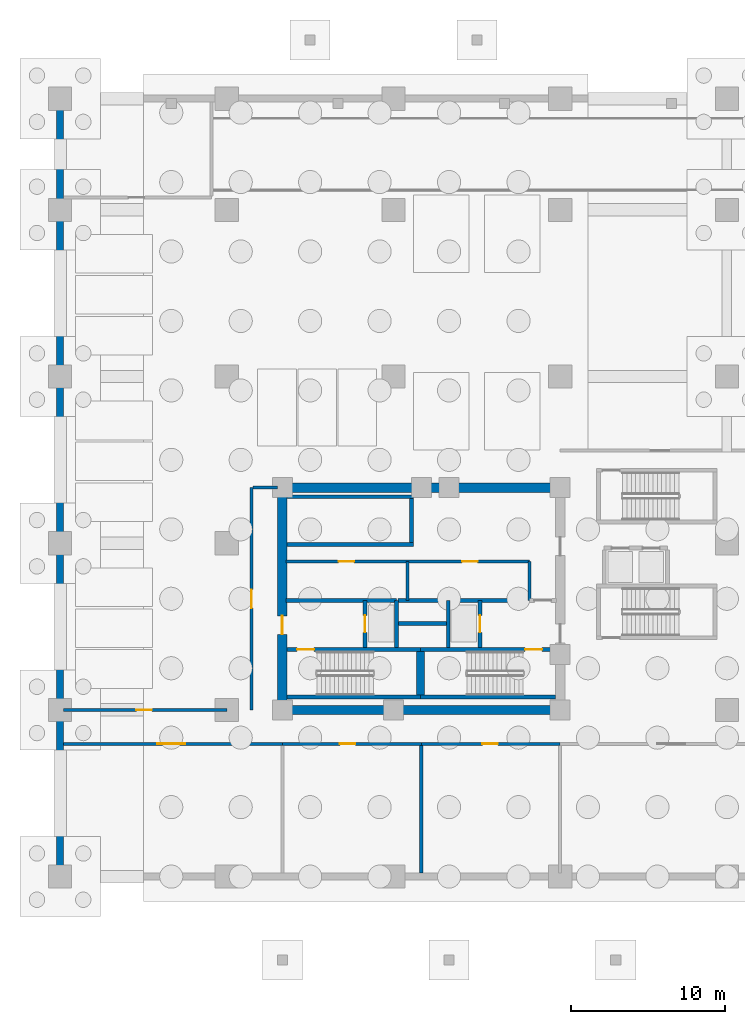
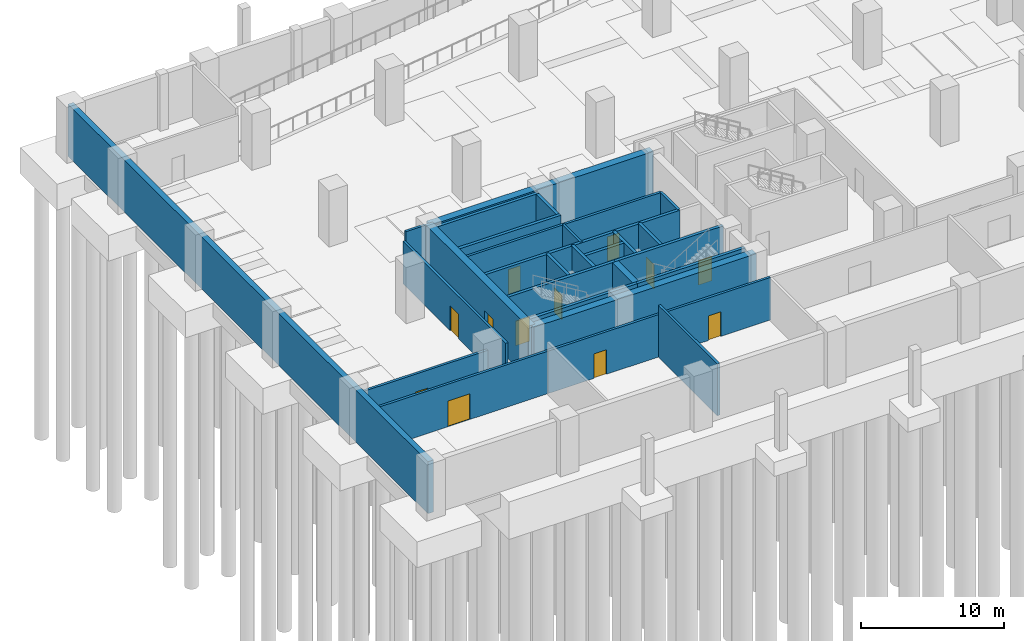
# One storey, part 3 of 9: 29 walls, 12 doors, 12 openings.
"""IFC4 building model written with IfcOpenShell, lengths in metres."""

import ifcopenshell
import ifcopenshell.guid

model = None  # the IFC model being written
_history = None  # IfcOwnerHistory: only IFC2X3 demands one
_inside = {}  # id of a spatial element -> (the spatial element, [elements in it])
_under = {}  # id of a project, library or spatial element -> (it, [spatial elements below it])
_declared = {}  # id of a project -> (the project, [libraries it declares])
_typed = {}  # id of a type object -> (the type object, [elements of that type])
_made_of = {}  # id of a material, layer set ... -> (it, [elements and type objects made of it])


def new_model(schema):
    """Start an empty IFC model of exactly this schema.

    Asked for "IFC4X3", IfcOpenShell would pick the latest addendum, in which some entities
    have other attributes; the version numbers below select the first issue.
    IFC2X3 requires an IfcOwnerHistory on every rooted entity: one is made here for all.
    """
    global model, _history
    if schema == "IFC4X3":
        model = ifcopenshell.file(schema_version=(4, 3, 0, 0))
    else:
        model = ifcopenshell.file(schema=schema)
    _inside.clear()
    _under.clear()
    _declared.clear()
    _typed.clear()
    _made_of.clear()
    _history = None
    if model.schema == "IFC2X3":
        org = make("IfcOrganization", Name="unknown")
        user = make(
            "IfcPersonAndOrganization",
            ThePerson=make("IfcPerson", FamilyName="unknown"),
            TheOrganization=org,
        )
        app = make(
            "IfcApplication",
            ApplicationDeveloper=org,
            Version="unknown",
            ApplicationFullName="unknown",
            ApplicationIdentifier="unknown",
        )
        _history = make(
            "IfcOwnerHistory",
            OwningUser=user,
            OwningApplication=app,
            ChangeAction="ADDED",
            CreationDate=0,
        )
    return model


def make(cls, **values):
    """One entity of the class cls with the attributes given. An attribute that is None is left unset."""
    return model.create_entity(
        cls, **{name: value for name, value in values.items() if value is not None}
    )


def rooted(cls, **values):
    """An entity with a GlobalId (a new one), such as an element, a storey or a relation."""
    return make(cls, GlobalId=ifcopenshell.guid.new(), OwnerHistory=_history, **values)


def si_unit(unit_type, name, prefix=None):
    """IfcSIUnit, for example si_unit("LENGTHUNIT", "METRE", prefix="MILLI")."""
    return make("IfcSIUnit", UnitType=unit_type, Prefix=prefix, Name=name)


def assignment(units):
    """IfcUnitAssignment: the units of a project."""
    return None if units is None else make("IfcUnitAssignment", Units=units)


def point(xyz):
    """IfcCartesianPoint."""
    return None if xyz is None else make("IfcCartesianPoint", Coordinates=xyz)


def direction(xyz):
    """IfcDirection."""
    return None if xyz is None else make("IfcDirection", DirectionRatios=xyz)


def frame(location, z_axis=None, x_axis=None):
    """IfcAxis2Placement3D, a coordinate frame: its origin and axes. An axis left out is left unset."""
    return make(
        "IfcAxis2Placement3D",
        Location=point(location),
        Axis=direction(z_axis),
        RefDirection=direction(x_axis),
    )


def frame_2d(location, x_axis=None):
    """IfcAxis2Placement2D, a coordinate frame in the plane: its origin and x axis."""
    return make(
        "IfcAxis2Placement2D", Location=point(location), RefDirection=direction(x_axis)
    )


def origin():
    """The frame at (0, 0, 0) with its axes left unset."""
    return frame((0.0, 0.0, 0.0))


def place(relative_to, where):
    """IfcLocalPlacement: puts the frame where relative to a parent placement (None: the world)."""
    return make(
        "IfcLocalPlacement", PlacementRelTo=relative_to, RelativePlacement=where
    )


def context(
    kind, dimensions, precision=None, world=None, true_north=None, identifier=None
):
    """IfcGeometricRepresentationContext, for example the 3D "Model" context."""
    return make(
        "IfcGeometricRepresentationContext",
        ContextIdentifier=identifier,
        ContextType=kind,
        CoordinateSpaceDimension=dimensions,
        Precision=precision,
        WorldCoordinateSystem=world,
        TrueNorth=true_north,
    )


def subcontext(parent, identifier, kind, view, scale=None):
    """IfcGeometricRepresentationSubContext, for example "Body" below "Model"."""
    return make(
        "IfcGeometricRepresentationSubContext",
        ContextIdentifier=identifier,
        ContextType=kind,
        ParentContext=parent,
        TargetScale=scale,
        TargetView=view,
    )


def project(units=None, contexts=None):
    """IfcProject with its units and contexts."""
    return rooted(
        "IfcProject",
        Name="project",
        RepresentationContexts=contexts,
        UnitsInContext=assignment(units),
    )


def spatial(cls, under=None, at=None, **own):
    """A site, building, storey or space (cls), placed at a placement, below another one or the project."""
    s = rooted(cls, ObjectPlacement=at, **own)
    if under is not None:
        _under.setdefault(under.id(), (under, []))[1].append(s)
    return s


def profile(cls, at=None, kind="AREA", **sizes):
    """A parametric profile (cls). Its sizes go by their IFC names, for example OverallWidth=200.0."""
    return make(cls, ProfileType=kind, Position=at, **sizes)


def rectangle(**sizes):
    """IfcRectangleProfileDef."""
    return profile("IfcRectangleProfileDef", **sizes)


def extrude(swept, where, along, depth):
    """IfcExtrudedAreaSolid: the profile swept, set in the frame where, extruded along a direction by depth."""
    return make(
        "IfcExtrudedAreaSolid",
        SweptArea=swept,
        Position=where,
        ExtrudedDirection=direction(along),
        Depth=depth,
    )


def shape(context_of_items, identifier, shape_type, items):
    """IfcShapeRepresentation: the items that make up one representation, for example the "Body"."""
    return make(
        "IfcShapeRepresentation",
        ContextOfItems=context_of_items,
        RepresentationIdentifier=identifier,
        RepresentationType=shape_type,
        Items=items,
    )


def material(Name=None, Category=None):
    """IfcMaterial."""
    return make("IfcMaterial", Name=Name, Category=Category)


def layer(
    of_material, thickness, ventilated=None, Name=None, Category=None, Priority=None
):
    """IfcMaterialLayer: one layer of a wall or slab, of a material (None: an air gap)."""
    return make(
        "IfcMaterialLayer",
        Material=of_material,
        LayerThickness=thickness,
        IsVentilated=ventilated,
        Name=Name,
        Category=Category,
        Priority=Priority,
    )


def layer_set(layers, Name=None):
    """IfcMaterialLayerSet."""
    return make("IfcMaterialLayerSet", MaterialLayers=layers, LayerSetName=Name)


def made_of(thing, what):
    """Note that an element or type object is made of a material, layer set ...; save() writes the relation."""
    if what is not None:
        _made_of.setdefault(what.id(), (what, []))[1].append(thing)
    return thing


def type_object(cls, material=None, **own):
    """A type object (cls), such as IfcWallType, which elements share."""
    return made_of(rooted(cls, **own), material)


def element(
    cls,
    number,
    at=None,
    inside=None,
    cuts=None,
    type_object=None,
    material=None,
    context=None,
    identifier="Body",
    shape_type=None,
    held_by="IfcProductDefinitionShape",
    body=None,
    shapes=None,
    **own,
):
    """One element of the class cls, such as IfcWall. Its Tag is "e" and its number.

    at: its placement. inside: the storey or other place that contains it. cuts: it is an
    opening in that element (IfcRelVoidsElement). A single representation is given by context,
    identifier, shape_type and body (its items); several are given by shapes. held_by: the class
    of the entity that holds the representations. save() writes the other relations.
    """
    e = rooted(cls, Tag="e%d" % number, ObjectPlacement=at, **own)
    if body is not None:
        shapes = [shape(context, identifier, shape_type, body)]
    if shapes is not None:
        e.Representation = make(held_by, Representations=shapes)
    if inside is not None:
        _inside.setdefault(inside.id(), (inside, []))[1].append(e)
    if cuts is not None:
        rooted(
            "IfcRelVoidsElement", RelatingBuildingElement=cuts, RelatedOpeningElement=e
        )
    if type_object is not None:
        _typed.setdefault(type_object.id(), (type_object, []))[1].append(e)
    return made_of(e, material)


def fill(opening, filler):
    """IfcRelFillsElement: the door or window that sits in an opening."""
    return rooted(
        "IfcRelFillsElement",
        RelatingOpeningElement=opening,
        RelatedBuildingElement=filler,
    )


def aggregate(whole, parts):
    """IfcRelAggregates: a whole, such as a stair, and the parts it consists of."""
    return rooted("IfcRelAggregates", RelatingObject=whole, RelatedObjects=parts)


def save(model, path):
    """Write the relations noted so far, then the file.

    IfcRelAggregates (storeys below a building ...), IfcRelContainedInSpatialStructure (elements
    in a storey), IfcRelDefinesByType, IfcRelAssociatesMaterial and IfcRelDeclares: one each for
    every whole, place, type object, material and project.
    """
    for whole, parts in _under.values():
        aggregate(whole, parts)
    for where, things in _inside.values():
        rooted(
            "IfcRelContainedInSpatialStructure",
            RelatedElements=things,
            RelatingStructure=where,
        )
    for kind, things in _typed.values():
        rooted("IfcRelDefinesByType", RelatedObjects=things, RelatingType=kind)
    for what, things in _made_of.values():
        rooted("IfcRelAssociatesMaterial", RelatedObjects=things, RelatingMaterial=what)
    for by, libraries in _declared.values():
        rooted("IfcRelDeclares", RelatingContext=by, RelatedDefinitions=libraries)
    model.write(path)


model = new_model("IFC4")

# Units and contexts
model_context = context("Model", 3, precision=1e-05, world=origin(), true_north=direction((0.0, 1.0)))
body_context = subcontext(model_context, "Body", "Model", "MODEL_VIEW")
ifc_project = project(units=[si_unit("LENGTHUNIT", "METRE"), si_unit("AREAUNIT", "SQUARE_METRE"), si_unit("VOLUMEUNIT", "CUBIC_METRE"), si_unit("PLANEANGLEUNIT", "RADIAN"), si_unit("MASSUNIT", "GRAM", prefix="KILO")], contexts=[model_context])

# Site, building, storey
site_placement = place(None, origin())
site = spatial("IfcSite", under=ifc_project, at=site_placement, CompositionType="ELEMENT")
building_placement = place(site_placement, origin())
building = spatial("IfcBuilding", under=site, at=building_placement, Name="Solnavia Interchange Tower", CompositionType="ELEMENT")
storey_placement = place(building_placement, frame((0.0, 0.0, -9.60009765625)))
storey = spatial("IfcBuildingStorey", under=building, at=storey_placement, Name="B02", CompositionType="ELEMENT", Elevation=-9.60009765625)

# Wall, openings, doors
ifc_material_1 = material(Name="Concrete C40/50", Category="concrete")
ifc_layer_1 = layer(ifc_material_1, 0.199951171875)
ifc_layer_set_1 = layer_set([ifc_layer_1], Name="Concrete C40/50")
wall_type_1 = type_object("IfcWallType", Name="Wall-PlantFire-200", PredefinedType="PARTITIONING", material=ifc_layer_set_1)
wall_1_placement = place(storey_placement, frame((14.64990234375, 20.419921875, 0.0), z_axis=(0.0, 0.0, 1.0), x_axis=(1.0, 0.0, 0.0)))
wall_1 = element("IfcWall", 1, at=wall_1_placement, inside=storey, type_object=wall_type_1, Name="CSW-B02-BS1 Core shaft wall", PredefinedType="PARTITIONING", context=body_context, shape_type="SweptSolid", body=[
    extrude(rectangle(XDim=15.75, YDim=0.199951171875, at=frame_2d((7.875, 0.0))), origin(), (0.0, 0.0, 1.0), 4.43505859375),
])
opening_1_placement = place(wall_1_placement, frame((3.39990234375, 0.0, 0.0)))
opening_1 = element("IfcOpeningElement", 2, at=opening_1_placement, cuts=wall_1, Name="Opening DR-04", PredefinedType="OPENING", context=body_context, shape_type="SweptSolid", body=[
    extrude(rectangle(XDim=1.0, YDim=2.10009765625, at=frame_2d((0.5, 1.050048828125))), frame((0.0, 0.10986328125, 0.0), z_axis=(0.0, -1.0, 0.0), x_axis=(1.0, 0.0, 0.0)), (0.0, 0.0, 1.0), 0.219970703125),
])
opening_2_placement = place(wall_1_placement, frame((11.39990234375, 0.0, 0.0)))
opening_2 = element("IfcOpeningElement", 3, at=opening_2_placement, cuts=wall_1, Name="Opening DR-04", PredefinedType="OPENING", context=body_context, shape_type="SweptSolid", body=[
    extrude(rectangle(XDim=1.0, YDim=2.10009765625, at=frame_2d((0.5, 1.050048828125))), frame((0.0, 0.10986328125, 0.0), z_axis=(0.0, -1.0, 0.0), x_axis=(1.0, 0.0, 0.0)), (0.0, 0.0, 1.0), 0.219970703125),
])
ifc_material_2 = material(Name="Steel Fire-Rated Plant Door", Category="steel")
door_type_1 = type_object("IfcDoorType", Name="Door-PlantFire-1000x2100", OperationType="SINGLE_SWING_LEFT", PredefinedType="DOOR", material=ifc_material_2)
door_1_placement = place(opening_1_placement, origin())
door_1 = element("IfcDoor", 4, at=door_1_placement, inside=storey, type_object=door_type_1, Name="DR-B02-BS1 Core fire door", OperationType="SINGLE_SWING_LEFT", OverallHeight=2.10009765625, OverallWidth=1.0, PredefinedType="DOOR", context=body_context, shape_type="SweptSolid", body=[
    extrude(rectangle(XDim=1.0, YDim=2.10009765625, at=frame_2d((0.5, 1.050048828125))), frame((0.0, 0.02490234375, 0.0), z_axis=(0.0, -1.0, 0.0), x_axis=(1.0, 0.0, 0.0)), (0.0, 0.0, 1.0), 0.050048828125),
])
fill(opening_1, door_1)
door_2_placement = place(opening_2_placement, origin())
door_2 = element("IfcDoor", 5, at=door_2_placement, inside=storey, type_object=door_type_1, Name="DR-B02-BS2 Core fire door", OperationType="SINGLE_SWING_RIGHT", OverallHeight=2.10009765625, OverallWidth=1.0, PredefinedType="DOOR", context=body_context, shape_type="SweptSolid", body=[
    extrude(rectangle(XDim=1.0, YDim=2.10009765625, at=frame_2d((0.5, 1.050048828125))), frame((0.0, 0.02490234375, 0.0), z_axis=(0.0, -1.0, 0.0), x_axis=(1.0, 0.0, 0.0)), (0.0, 0.0, 1.0), 0.050048828125),
])
fill(opening_2, door_2)

# Walls
for number, where, z_axis, x_axis, name in (
    (6, (30.39990234375, 17.89990234375, 0.0), (0.0, 0.0, 1.0), (0.0, 1.0, 0.0), "CSW-B02-BS2 Core shaft wall"),
    (7, (22.5, 17.89990234375, 0.0), (0.0, 0.0, 1.0), (0.0, 1.0, 0.0), "CSW-B02-BS3 Core shaft wall"),
):
    element("IfcWall", number, at=place(storey_placement, frame(where, z_axis=z_axis, x_axis=x_axis)), inside=storey, type_object=wall_type_1, Name=name, PredefinedType="PARTITIONING", context=body_context, shape_type="SweptSolid", body=[
        extrude(rectangle(XDim=2.52001953125, YDim=0.199951171875, at=frame_2d((1.260009765625, 0.0))), origin(), (0.0, 0.0, 1.0), 4.43505859375),
    ])

# Wall, opening, door
wall_2_placement = place(storey_placement, frame((0.22900390625, 8.60009765625, 0.0), z_axis=(0.0, 0.0, 1.0), x_axis=(1.0, 0.0, 0.0)))
wall_2 = element("IfcWall", 8, at=wall_2_placement, inside=storey, type_object=wall_type_1, Name="PTW-B02-01 Interior partition wall", PredefinedType="PARTITIONING", context=body_context, shape_type="SweptSolid", body=[
    extrude(rectangle(XDim=14.1708984375, YDim=0.199951171875, at=frame_2d((7.08544921875, 0.0))), origin(), (0.0, 0.0, 1.0), 3.630126953125),
])
opening_3_placement = place(wall_2_placement, frame((6.071044921875, 0.0, 0.0)))
opening_3 = element("IfcOpeningElement", 9, at=opening_3_placement, cuts=wall_2, Name="Opening DR-05", PredefinedType="OPENING", context=body_context, shape_type="SweptSolid", body=[
    extrude(rectangle(XDim=1.800048828125, YDim=2.199951171875, at=frame_2d((0.89990234375, 1.10009765625))), frame((0.0, 0.10986328125, 0.0), z_axis=(0.0, -1.0, 0.0), x_axis=(1.0, 0.0, 0.0)), (0.0, 0.0, 1.0), 0.219970703125),
])
ifc_material_3 = material(Name="Steel Double Fire Door", Category="steel")
door_type_2 = type_object("IfcDoorType", Name="Door-PlantDouble-1800x2200", OperationType="DOUBLE_DOOR_SINGLE_SWING", PredefinedType="DOOR", material=ifc_material_3)
door_3_placement = place(opening_3_placement, origin())
door_3 = element("IfcDoor", 10, at=door_3_placement, inside=storey, type_object=door_type_2, Name="DR-B02-01 Interior room door", OperationType="DOUBLE_DOOR_SINGLE_SWING", OverallHeight=2.199951171875, OverallWidth=1.800048828125, PredefinedType="DOOR", context=body_context, shape_type="SweptSolid", body=[
    extrude(rectangle(XDim=1.800048828125, YDim=2.199951171875, at=frame_2d((0.89990234375, 1.10009765625))), frame((0.0, 0.02490234375, 0.0), z_axis=(0.0, -1.0, 0.0), x_axis=(1.0, 0.0, 0.0)), (0.0, 0.0, 1.0), 0.050048828125),
])
fill(opening_3, door_3)

wall_3_placement = place(storey_placement, frame((14.39990234375, 8.60009765625, 0.0), z_axis=(0.0, 0.0, 1.0), x_axis=(1.0, 0.0, 0.0)))
wall_3 = element("IfcWall", 11, at=wall_3_placement, inside=storey, type_object=wall_type_1, Name="PTW-B02-03 Interior partition wall", PredefinedType="PARTITIONING", context=body_context, shape_type="SweptSolid", body=[
    extrude(rectangle(XDim=9.0, YDim=0.199951171875, at=frame_2d((4.5, 0.0))), origin(), (0.0, 0.0, 1.0), 3.630126953125),
])
opening_4_placement = place(wall_3_placement, frame((3.721923828125, 0.0, 0.0)))
opening_4 = element("IfcOpeningElement", 12, at=opening_4_placement, cuts=wall_3, Name="Opening DR-04", PredefinedType="OPENING", context=body_context, shape_type="SweptSolid", body=[
    extrude(rectangle(XDim=1.0, YDim=2.10009765625, at=frame_2d((0.5, 1.050048828125))), frame((0.0, 0.10986328125, 0.0), z_axis=(0.0, -1.0, 0.0), x_axis=(1.0, 0.0, 0.0)), (0.0, 0.0, 1.0), 0.219970703125),
])
door_4_placement = place(opening_4_placement, origin())
door_4 = element("IfcDoor", 13, at=door_4_placement, inside=storey, type_object=door_type_1, Name="DR-B02-02 Interior room door", OperationType="SINGLE_SWING_RIGHT", OverallHeight=2.10009765625, OverallWidth=1.0, PredefinedType="DOOR", context=body_context, shape_type="SweptSolid", body=[
    extrude(rectangle(XDim=1.0, YDim=2.10009765625, at=frame_2d((0.5, 1.050048828125))), frame((0.0, 0.02490234375, 0.0), z_axis=(0.0, -1.0, 0.0), x_axis=(1.0, 0.0, 0.0)), (0.0, 0.0, 1.0), 0.050048828125),
])
fill(opening_4, door_4)

# Wall
wall_4_placement = place(storey_placement, frame((23.39990234375, 0.22900390625, 0.0), z_axis=(0.0, 0.0, 1.0), x_axis=(0.0, 1.0, 0.0)))
element("IfcWall", 14, at=wall_4_placement, inside=storey, type_object=wall_type_1, Name="PTW-B02-04 Interior partition wall", PredefinedType="PARTITIONING", context=body_context, shape_type="SweptSolid", body=[
    extrude(rectangle(XDim=8.26708984375, YDim=0.199951171875, at=frame_2d((4.133544921875, 0.0))), origin(), (0.0, 0.0, 1.0), 4.43505859375),
])

# Wall, opening, door
wall_5_placement = place(storey_placement, frame((23.39990234375, 8.60009765625, 0.0), z_axis=(0.0, 0.0, 1.0), x_axis=(1.0, 0.0, 0.0)))
wall_5 = element("IfcWall", 15, at=wall_5_placement, inside=storey, type_object=wall_type_1, Name="PTW-B02-05 Interior partition wall", PredefinedType="PARTITIONING", context=body_context, shape_type="SweptSolid", body=[
    extrude(rectangle(XDim=9.0, YDim=0.199951171875, at=frame_2d((4.5, 0.0))), origin(), (0.0, 0.0, 1.0), 3.630126953125),
])
opening_5_placement = place(wall_5_placement, frame((3.9599609375, 0.0, 0.0)))
opening_5 = element("IfcOpeningElement", 16, at=opening_5_placement, cuts=wall_5, Name="Opening DR-04", PredefinedType="OPENING", context=body_context, shape_type="SweptSolid", body=[
    extrude(rectangle(XDim=1.0, YDim=2.10009765625, at=frame_2d((0.5, 1.050048828125))), frame((0.0, 0.10986328125, 0.0), z_axis=(0.0, -1.0, 0.0), x_axis=(1.0, 0.0, 0.0)), (0.0, 0.0, 1.0), 0.219970703125),
])
door_5_placement = place(opening_5_placement, origin())
door_5 = element("IfcDoor", 17, at=door_5_placement, inside=storey, type_object=door_type_1, Name="DR-B02-03 Interior room door", OperationType="SINGLE_SWING_LEFT", OverallHeight=2.10009765625, OverallWidth=1.0, PredefinedType="DOOR", context=body_context, shape_type="SweptSolid", body=[
    extrude(rectangle(XDim=1.0, YDim=2.10009765625, at=frame_2d((0.5, 1.050048828125))), frame((0.0, 0.02490234375, 0.0), z_axis=(0.0, -1.0, 0.0), x_axis=(1.0, 0.0, 0.0)), (0.0, 0.0, 1.0), 0.050048828125),
])
fill(opening_5, door_5)

wall_6_placement = place(storey_placement, frame((0.22900390625, 10.800048828125, 0.0), z_axis=(0.0, 0.0, 1.0), x_axis=(1.0, 0.0, 0.0)))
wall_6 = element("IfcWall", 18, at=wall_6_placement, inside=storey, type_object=wall_type_1, Name="PTW-B02-12 Interior partition wall", PredefinedType="PARTITIONING", context=body_context, shape_type="SweptSolid", body=[
    extrude(rectangle(XDim=10.571044921875, YDim=0.199951171875, at=frame_2d((5.28564453125, 0.0))), origin(), (0.0, 0.0, 1.0), 3.630126953125),
])
opening_6_placement = place(wall_6_placement, frame((4.7109375, 0.0, 0.0)))
opening_6 = element("IfcOpeningElement", 19, at=opening_6_placement, cuts=wall_6, Name="Opening DR-04", PredefinedType="OPENING", context=body_context, shape_type="SweptSolid", body=[
    extrude(rectangle(XDim=1.0, YDim=2.10009765625, at=frame_2d((0.5, 1.050048828125))), frame((0.0, 0.10986328125, 0.0), z_axis=(0.0, -1.0, 0.0), x_axis=(1.0, 0.0, 0.0)), (0.0, 0.0, 1.0), 0.219970703125),
])
door_6_placement = place(opening_6_placement, origin())
door_6 = element("IfcDoor", 20, at=door_6_placement, inside=storey, type_object=door_type_1, Name="DR-B02-07 Interior room door", OperationType="SINGLE_SWING_LEFT", OverallHeight=2.10009765625, OverallWidth=1.0, PredefinedType="DOOR", context=body_context, shape_type="SweptSolid", body=[
    extrude(rectangle(XDim=1.0, YDim=2.10009765625, at=frame_2d((0.5, 1.050048828125))), frame((0.0, 0.02490234375, 0.0), z_axis=(0.0, -1.0, 0.0), x_axis=(1.0, 0.0, 0.0)), (0.0, 0.0, 1.0), 0.050048828125),
])
fill(opening_6, door_6)

wall_7_placement = place(storey_placement, frame((12.39990234375, 10.800048828125, 0.0), z_axis=(0.0, 0.0, 1.0), x_axis=(0.0, 1.0, 0.0)))
wall_7 = element("IfcWall", 21, at=wall_7_placement, inside=storey, type_object=wall_type_1, Name="PTW-B02-13 Interior partition wall", PredefinedType="PARTITIONING", context=body_context, shape_type="SweptSolid", body=[
    extrude(rectangle(XDim=14.39990234375, YDim=0.199951171875, at=frame_2d((7.199951171875, 0.0))), origin(), (0.0, 0.0, 1.0), 3.630126953125),
])
opening_7_placement = place(wall_7_placement, frame((6.60009765625, 0.0, 0.0)))
opening_7 = element("IfcOpeningElement", 22, at=opening_7_placement, cuts=wall_7, Name="Opening DR-02", PredefinedType="OPENING", context=body_context, shape_type="SweptSolid", body=[
    extrude(rectangle(XDim=1.199951171875, YDim=2.10009765625, at=frame_2d((0.60009765625, 1.050048828125))), frame((0.0, 0.10986328125, 0.0), z_axis=(0.0, -1.0, 0.0), x_axis=(1.0, 0.0, 0.0)), (0.0, 0.0, 1.0), 0.219970703125),
])
ifc_material_4 = material(Name="Steel Fire-Rated Vision-Panel Door", Category="steel")
door_type_3 = type_object("IfcDoorType", Name="Door-LobbyFire-1200x2100", OperationType="SINGLE_SWING_RIGHT", PredefinedType="DOOR", material=ifc_material_4)
door_7_placement = place(opening_7_placement, origin())
door_7 = element("IfcDoor", 23, at=door_7_placement, inside=storey, type_object=door_type_3, Name="DR-B02-08 Interior room door", OperationType="SINGLE_SWING_RIGHT", OverallHeight=2.10009765625, OverallWidth=1.199951171875, PredefinedType="DOOR", context=body_context, shape_type="SweptSolid", body=[
    extrude(rectangle(XDim=1.199951171875, YDim=2.10009765625, at=frame_2d((0.60009765625, 1.050048828125))), frame((0.0, 0.02490234375, 0.0), z_axis=(0.0, -1.0, 0.0), x_axis=(1.0, 0.0, 0.0)), (0.0, 0.0, 1.0), 0.050048828125),
])
fill(opening_7, door_7)

# Walls
wall_8_placement = place(storey_placement, frame((12.50390625, 25.199951171875, 0.0), z_axis=(0.0, 0.0, 1.0), x_axis=(1.0, 0.0, 0.0)))
element("IfcWall", 24, at=wall_8_placement, inside=storey, type_object=wall_type_1, Name="PTW-B02-14 Interior partition wall", PredefinedType="PARTITIONING", context=body_context, shape_type="SweptSolid", body=[
    extrude(rectangle(XDim=1.592041015625, YDim=0.199951171875, at=frame_2d((0.7958984375, 0.0))), origin(), (0.0, 0.0, 1.0), 4.43505859375),
])
ifc_layer_2 = layer(ifc_material_1, 0.449951171875)
ifc_layer_set_2 = layer_set([ifc_layer_2], Name="Concrete C40/50")
wall_type_2 = type_object("IfcWallType", Name="Wall-Retaining-450", PredefinedType="SOLIDWALL", material=ifc_layer_set_2)
wall_9_placement = place(storey_placement, frame((0.0, 50.39990234375, 0.0), z_axis=(0.0, 0.0, 1.0), x_axis=(0.0, -1.0, 0.0)))
element("IfcWall", 25, at=wall_9_placement, inside=storey, type_object=wall_type_2, Name="RTW-B02-04 Basement perimeter retaining wall", PredefinedType="SOLIDWALL", context=body_context, shape_type="SweptSolid", body=[
    extrude(rectangle(XDim=50.39990234375, YDim=0.449951171875, at=frame_2d((25.199951171875, 0.0))), origin(), (0.0, 0.0, 1.0), 4.4501953125),
])
ifc_layer_3 = layer(ifc_material_1, 0.25)
ifc_layer_set_3 = layer_set([ifc_layer_3], Name="Concrete C40/50")
wall_type_3 = type_object("IfcWallType", Name="Wall-ShaftCore-250", PredefinedType="SHEAR", material=ifc_layer_set_3)
wall_10_placement = place(storey_placement, frame((14.699951171875, 11.625, 0.0), z_axis=(0.0, 0.0, 1.0), x_axis=(1.0, 0.0, 0.0)))
element("IfcWall", 26, at=wall_10_placement, inside=storey, type_object=wall_type_3, Name="SHW-B02-ST1S Core shear wall", PredefinedType="SHEAR", context=body_context, shape_type="SweptSolid", body=[
    extrude(rectangle(XDim=8.650146484375, YDim=0.25, at=frame_2d((4.3251953125, 0.0))), origin(), (0.0, 0.0, 1.0), 4.4501953125),
])

# Wall, opening, door
wall_11_placement = place(storey_placement, frame((14.699951171875, 14.715087890625, 0.0), z_axis=(0.0, 0.0, 1.0), x_axis=(1.0, 0.0, 0.0)))
wall_11 = element("IfcWall", 27, at=wall_11_placement, inside=storey, type_object=wall_type_3, Name="SHW-B02-ST1N Core shear wall", PredefinedType="SHEAR", context=body_context, shape_type="SweptSolid", body=[
    extrude(rectangle(XDim=8.650146484375, YDim=0.25, at=frame_2d((4.3251953125, 0.0))), origin(), (0.0, 0.0, 1.0), 4.4501953125),
])
opening_8_placement = place(wall_11_placement, frame((0.655029296875, 0.0, 0.0)))
opening_8 = element("IfcOpeningElement", 28, at=opening_8_placement, cuts=wall_11, Name="Opening DR-01", PredefinedType="OPENING", context=body_context, shape_type="SweptSolid", body=[
    extrude(rectangle(XDim=1.10009765625, YDim=2.10009765625, at=frame_2d((0.550048828125, 1.050048828125))), frame((0.0, 0.135009765625, 0.0), z_axis=(0.0, -1.0, 0.0), x_axis=(1.0, 0.0, 0.0)), (0.0, 0.0, 1.0), 0.27001953125),
])
ifc_material_5 = material(Name="Steel Fire-Rated Leaf & Frame", Category="steel")
door_type_4 = type_object("IfcDoorType", Name="Door-StairFire-1100x2100", OperationType="SINGLE_SWING_LEFT", PredefinedType="DOOR", material=ifc_material_5)
door_8_placement = place(opening_8_placement, origin())
door_8 = element("IfcDoor", 29, at=door_8_placement, inside=storey, type_object=door_type_4, Name="DR-B02-ST1 Core fire door", OperationType="SINGLE_SWING_LEFT", OverallHeight=2.10009765625, OverallWidth=1.10009765625, PredefinedType="DOOR", context=body_context, shape_type="SweptSolid", body=[
    extrude(rectangle(XDim=1.10009765625, YDim=2.10009765625, at=frame_2d((0.550048828125, 1.050048828125))), frame((0.0, 0.02490234375, 0.0), z_axis=(0.0, -1.0, 0.0), x_axis=(1.0, 0.0, 0.0)), (0.0, 0.0, 1.0), 0.050048828125),
])
fill(opening_8, door_8)

# Wall
wall_12_placement = place(storey_placement, frame((23.35009765625, 11.625, 0.0), z_axis=(0.0, 0.0, 1.0), x_axis=(1.0, 0.0, 0.0)))
element("IfcWall", 30, at=wall_12_placement, inside=storey, type_object=wall_type_3, Name="SHW-B02-ST2S Core shear wall", PredefinedType="SHEAR", context=body_context, shape_type="SweptSolid", body=[
    extrude(rectangle(XDim=8.75, YDim=0.25, at=frame_2d((4.375, 0.0))), origin(), (0.0, 0.0, 1.0), 4.4501953125),
])

# Wall, opening, door
wall_13_placement = place(storey_placement, frame((23.35009765625, 14.715087890625, 0.0), z_axis=(0.0, 0.0, 1.0), x_axis=(1.0, 0.0, 0.0)))
wall_13 = element("IfcWall", 31, at=wall_13_placement, inside=storey, type_object=wall_type_3, Name="SHW-B02-ST2N Core shear wall", PredefinedType="SHEAR", context=body_context, shape_type="SweptSolid", body=[
    extrude(rectangle(XDim=8.75, YDim=0.25, at=frame_2d((4.375, 0.0))), origin(), (0.0, 0.0, 1.0), 4.4501953125),
])
opening_9_placement = place(wall_13_placement, frame((6.77490234375, 0.0, 0.0)))
opening_9 = element("IfcOpeningElement", 32, at=opening_9_placement, cuts=wall_13, Name="Opening DR-01", PredefinedType="OPENING", context=body_context, shape_type="SweptSolid", body=[
    extrude(rectangle(XDim=1.10009765625, YDim=2.10009765625, at=frame_2d((0.550048828125, 1.050048828125))), frame((0.0, 0.135009765625, 0.0), z_axis=(0.0, -1.0, 0.0), x_axis=(1.0, 0.0, 0.0)), (0.0, 0.0, 1.0), 0.27001953125),
])
door_9_placement = place(opening_9_placement, origin())
door_9 = element("IfcDoor", 33, at=door_9_placement, inside=storey, type_object=door_type_4, Name="DR-B02-ST2 Core fire door", OperationType="SINGLE_SWING_LEFT", OverallHeight=2.10009765625, OverallWidth=1.10009765625, PredefinedType="DOOR", context=body_context, shape_type="SweptSolid", body=[
    extrude(rectangle(XDim=1.10009765625, YDim=2.10009765625, at=frame_2d((0.550048828125, 1.050048828125))), frame((0.0, 0.02490234375, 0.0), z_axis=(0.0, -1.0, 0.0), x_axis=(1.0, 0.0, 0.0)), (0.0, 0.0, 1.0), 0.050048828125),
])
fill(opening_9, door_9)

# Walls
for number, where, z_axis, x_axis, name in (
    (34, (14.699951171875, 21.52490234375, 0.0), (0.0, 0.0, 1.0), (1.0, 0.0, 0.0), "SHW-B02-ST3S Core shear wall"),
    (35, (14.699951171875, 24.614990234375, 0.0), (0.0, 0.0, 1.0), (1.0, 0.0, 0.0), "SHW-B02-ST3N Core shear wall"),
):
    element("IfcWall", number, at=place(storey_placement, frame(where, z_axis=z_axis, x_axis=x_axis)), inside=storey, type_object=wall_type_3, Name=name, PredefinedType="SHEAR", context=body_context, shape_type="SweptSolid", body=[
        extrude(rectangle(XDim=8.199951171875, YDim=0.25, at=frame_2d((4.10009765625, 0.0))), origin(), (0.0, 0.0, 1.0), 4.4501953125),
    ])
wall_14_placement = place(storey_placement, frame((22.77490234375, 21.64990234375, 0.0), z_axis=(0.0, 0.0, 1.0), x_axis=(0.0, 1.0, 0.0)))
element("IfcWall", 36, at=wall_14_placement, inside=storey, type_object=wall_type_3, Name="SHW-B02-ST3E Core shear wall", PredefinedType="SHEAR", context=body_context, shape_type="SweptSolid", body=[
    extrude(rectangle(XDim=2.840087890625, YDim=0.25, at=frame_2d((1.419921875, 0.0))), origin(), (0.0, 0.0, 1.0), 4.4501953125),
])
ifc_layer_4 = layer(ifc_material_1, 0.25)
ifc_layer_set_4 = layer_set([ifc_layer_4], Name="Concrete C40/50")
wall_type_4 = type_object("IfcWallType", Name="Wall-ShaftPart-250", PredefinedType="PARTITIONING", material=ifc_layer_set_4)
wall_15_placement = place(storey_placement, frame((14.64990234375, 17.89990234375, 0.0), z_axis=(0.0, 0.0, 1.0), x_axis=(1.0, 0.0, 0.0)))
element("IfcWall", 37, at=wall_15_placement, inside=storey, type_object=wall_type_4, Name="SHW-B02-FFLW-N Core shaft wall", PredefinedType="PARTITIONING", context=body_context, shape_type="SweptSolid", body=[
    extrude(rectangle(XDim=7.150146484375, YDim=0.25, at=frame_2d((3.5751953125, 0.0))), origin(), (0.0, 0.0, 1.0), 4.43505859375),
])

# Wall, opening, door
wall_16_placement = place(storey_placement, frame((19.75, 14.840087890625, 0.0), z_axis=(0.0, 0.0, 1.0), x_axis=(0.0, 1.0, 0.0)))
wall_16 = element("IfcWall", 38, at=wall_16_placement, inside=storey, type_object=wall_type_4, Name="SHW-B02-FFL1-W Core shaft wall", PredefinedType="PARTITIONING", context=body_context, shape_type="SweptSolid", body=[
    extrude(rectangle(XDim=3.059814453125, YDim=0.25, at=frame_2d((1.52978515625, 0.0))), origin(), (0.0, 0.0, 1.0), 4.43505859375),
])
opening_10_placement = place(wall_16_placement, frame((0.97998046875, 0.0, 0.0)))
opening_10 = element("IfcOpeningElement", 39, at=opening_10_placement, cuts=wall_16, Name="Opening LD-01", PredefinedType="OPENING", context=body_context, shape_type="SweptSolid", body=[
    extrude(rectangle(XDim=1.10009765625, YDim=2.10009765625, at=frame_2d((0.550048828125, 1.050048828125))), frame((0.0, 0.135009765625, 0.0), z_axis=(0.0, -1.0, 0.0), x_axis=(1.0, 0.0, 0.0)), (0.0, 0.0, 1.0), 0.27001953125),
])
ifc_material_6 = material(Name="Brushed Stainless Steel Sliding Door", Category="steel")
door_type_5 = type_object("IfcDoorType", Name="Door-LiftLanding-1100x2100", OperationType="SLIDING_TO_LEFT", PredefinedType="DOOR", material=ifc_material_6)
door_10_placement = place(opening_10_placement, origin())
door_10 = element("IfcDoor", 40, at=door_10_placement, inside=storey, type_object=door_type_5, Name="LD-B02-FFL1 Lift landing sliding door", OperationType="SLIDING_TO_LEFT", OverallHeight=2.10009765625, OverallWidth=1.10009765625, PredefinedType="DOOR", context=body_context, shape_type="SweptSolid", body=[
    extrude(rectangle(XDim=1.10009765625, YDim=2.10009765625, at=frame_2d((0.550048828125, 1.050048828125))), frame((0.0, 0.02490234375, 0.0), z_axis=(0.0, -1.0, 0.0), x_axis=(1.0, 0.0, 0.0)), (0.0, 0.0, 1.0), 0.050048828125),
])
fill(opening_10, door_10)

# Walls
wall_17_placement = place(storey_placement, frame((21.800048828125, 14.840087890625, 0.0), z_axis=(0.0, 0.0, 1.0), x_axis=(0.0, 1.0, 0.0)))
element("IfcWall", 41, at=wall_17_placement, inside=storey, type_object=wall_type_4, Name="SHW-B02-FFL1-E Core shaft wall", PredefinedType="PARTITIONING", context=body_context, shape_type="SweptSolid", body=[
    extrude(rectangle(XDim=3.059814453125, YDim=0.25, at=frame_2d((1.52978515625, 0.0))), origin(), (0.0, 0.0, 1.0), 4.43505859375),
])
wall_18_placement = place(storey_placement, frame((21.8798828125, 17.89990234375, 0.0), z_axis=(0.0, 0.0, 1.0), x_axis=(1.0, 0.0, 0.0)))
element("IfcWall", 42, at=wall_18_placement, inside=storey, type_object=wall_type_4, Name="SHW-B02-FFLE-N1 Core shaft wall", PredefinedType="PARTITIONING", context=body_context, shape_type="SweptSolid", body=[
    extrude(rectangle(XDim=8.52001953125, YDim=0.25, at=frame_2d((4.260009765625, 0.0))), origin(), (0.0, 0.0, 1.0), 4.43505859375),
])
wall_19_placement = place(storey_placement, frame((25.14990234375, 14.840087890625, 0.0), z_axis=(0.0, 0.0, 1.0), x_axis=(0.0, 1.0, 0.0)))
element("IfcWall", 43, at=wall_19_placement, inside=storey, type_object=wall_type_4, Name="SHW-B02-FFL2-W Core shaft wall", PredefinedType="PARTITIONING", context=body_context, shape_type="SweptSolid", body=[
    extrude(rectangle(XDim=3.059814453125, YDim=0.25, at=frame_2d((1.52978515625, 0.0))), origin(), (0.0, 0.0, 1.0), 4.43505859375),
])

# Wall, opening, door
wall_20_placement = place(storey_placement, frame((27.199951171875, 14.840087890625, 0.0), z_axis=(0.0, 0.0, 1.0), x_axis=(0.0, 1.0, 0.0)))
wall_20 = element("IfcWall", 44, at=wall_20_placement, inside=storey, type_object=wall_type_4, Name="SHW-B02-FFL2-E Core shaft wall", PredefinedType="PARTITIONING", context=body_context, shape_type="SweptSolid", body=[
    extrude(rectangle(XDim=3.059814453125, YDim=0.25, at=frame_2d((1.52978515625, 0.0))), origin(), (0.0, 0.0, 1.0), 4.43505859375),
])
opening_11_placement = place(wall_20_placement, frame((0.97998046875, 0.0, 0.0)))
opening_11 = element("IfcOpeningElement", 45, at=opening_11_placement, cuts=wall_20, Name="Opening LD-01", PredefinedType="OPENING", context=body_context, shape_type="SweptSolid", body=[
    extrude(rectangle(XDim=1.10009765625, YDim=2.10009765625, at=frame_2d((0.550048828125, 1.050048828125))), frame((0.0, 0.135009765625, 0.0), z_axis=(0.0, -1.0, 0.0), x_axis=(1.0, 0.0, 0.0)), (0.0, 0.0, 1.0), 0.27001953125),
])
door_11_placement = place(opening_11_placement, origin())
door_11 = element("IfcDoor", 46, at=door_11_placement, inside=storey, type_object=door_type_5, Name="LD-B02-FFL2 Lift landing sliding door", OperationType="SLIDING_TO_LEFT", OverallHeight=2.10009765625, OverallWidth=1.10009765625, PredefinedType="DOOR", context=body_context, shape_type="SweptSolid", body=[
    extrude(rectangle(XDim=1.10009765625, YDim=2.10009765625, at=frame_2d((0.550048828125, 1.050048828125))), frame((0.0, 0.02490234375, 0.0), z_axis=(0.0, -1.0, 0.0), x_axis=(1.0, 0.0, 0.0)), (0.0, 0.0, 1.0), 0.050048828125),
])
fill(opening_11, door_11)

# Walls
wall_21_placement = place(storey_placement, frame((21.800048828125, 16.39990234375, 0.0), z_axis=(0.0, 0.0, 1.0), x_axis=(1.0, 0.0, 0.0)))
element("IfcWall", 47, at=wall_21_placement, inside=storey, type_object=wall_type_4, Name="SHW-B02-MEP-N Core shaft wall", PredefinedType="PARTITIONING", context=body_context, shape_type="SweptSolid", body=[
    extrude(rectangle(XDim=3.349853515625, YDim=0.25, at=frame_2d((1.6748046875, 0.0))), origin(), (0.0, 0.0, 1.0), 4.43505859375),
])
ifc_material_7 = material(Name="Concrete C60/75", Category="concrete")
ifc_layer_5 = layer(ifc_material_7, 0.5)
ifc_layer_set_5 = layer_set([ifc_layer_5], Name="Concrete C60/75")
wall_type_5 = type_object("IfcWallType", Name="Wall-ShearCore-500", PredefinedType="SHEAR", material=ifc_layer_set_5)
wall_22_placement = place(storey_placement, frame((23.35009765625, 11.75, 0.0), z_axis=(0.0, 0.0, 1.0), x_axis=(0.0, 1.0, 0.0)))
element("IfcWall", 48, at=wall_22_placement, inside=storey, type_object=wall_type_5, Name="SHW-B02-ST12M Core shear wall", PredefinedType="SHEAR", context=body_context, shape_type="SweptSolid", body=[
    extrude(rectangle(XDim=2.840087890625, YDim=0.5, at=frame_2d((1.419921875, 0.0))), origin(), (0.0, 0.0, 1.0), 4.4501953125),
])
ifc_layer_6 = layer(ifc_material_7, 0.60009765625)
ifc_layer_set_6 = layer_set([ifc_layer_6], Name="Concrete C60/75")
wall_type_6 = type_object("IfcWallType", Name="Wall-ShearCore-600", PredefinedType="SHEAR", material=ifc_layer_set_6)
for number, where, z_axis, x_axis, name in (
    (49, (14.39990234375, 10.800048828125, 0.0), (0.0, 0.0, 1.0), (1.0, 0.0, 0.0), "CRW-B02-S Core shear wall"),
    (50, (14.39990234375, 25.199951171875, 0.0), (0.0, 0.0, 1.0), (1.0, 0.0, 0.0), "CRW-B02-N Core shear wall"),
):
    element("IfcWall", number, at=place(storey_placement, frame(where, z_axis=z_axis, x_axis=x_axis)), inside=storey, type_object=wall_type_6, Name=name, PredefinedType="SHEAR", context=body_context, shape_type="SweptSolid", body=[
        extrude(rectangle(XDim=18.0, YDim=0.60009765625, at=frame_2d((9.0, 0.0))), origin(), (0.0, 0.0, 1.0), 4.4501953125),
    ])

# Wall, opening, door
wall_23_placement = place(storey_placement, frame((14.39990234375, 10.800048828125, 0.0), z_axis=(0.0, 0.0, 1.0), x_axis=(0.0, 1.0, 0.0)))
wall_23 = element("IfcWall", 51, at=wall_23_placement, inside=storey, type_object=wall_type_6, Name="CRW-B02-W Core shear wall", PredefinedType="SHEAR", context=body_context, shape_type="SweptSolid", body=[
    extrude(rectangle(XDim=14.39990234375, YDim=0.60009765625, at=frame_2d((7.199951171875, 0.0))), origin(), (0.0, 0.0, 1.0), 4.4501953125),
])
opening_12_placement = place(wall_23_placement, frame((4.89990234375, 0.0, 0.0)))
opening_12 = element("IfcOpeningElement", 52, at=opening_12_placement, cuts=wall_23, Name="Opening DR-02", PredefinedType="OPENING", context=body_context, shape_type="SweptSolid", body=[
    extrude(rectangle(XDim=1.199951171875, YDim=2.10009765625, at=frame_2d((0.60009765625, 1.050048828125))), frame((0.0, 0.31005859375, 0.0), z_axis=(0.0, -1.0, 0.0), x_axis=(1.0, 0.0, 0.0)), (0.0, 0.0, 1.0), 0.6201171875),
])
door_12_placement = place(opening_12_placement, origin())
door_12 = element("IfcDoor", 53, at=door_12_placement, inside=storey, type_object=door_type_3, Name="DR-B02-FFL1W Core fire door", OperationType="SINGLE_SWING_RIGHT", OverallHeight=2.10009765625, OverallWidth=1.199951171875, PredefinedType="DOOR", context=body_context, shape_type="SweptSolid", body=[
    extrude(rectangle(XDim=1.199951171875, YDim=2.10009765625, at=frame_2d((0.60009765625, 1.050048828125))), frame((0.0, 0.02490234375, 0.0), z_axis=(0.0, -1.0, 0.0), x_axis=(1.0, 0.0, 0.0)), (0.0, 0.0, 1.0), 0.050048828125),
])
fill(opening_12, door_12)

save(model, "model.ifc")
